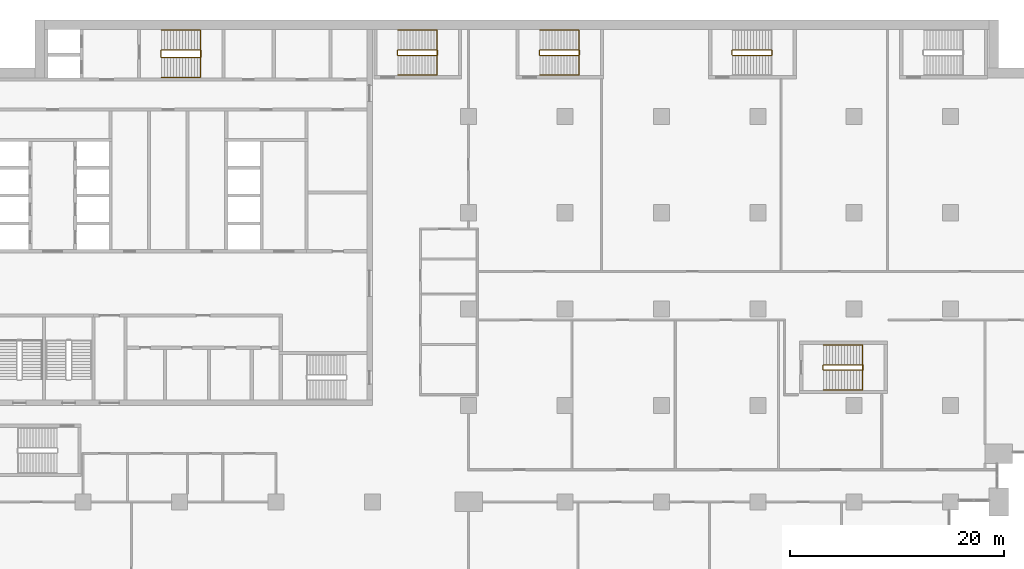
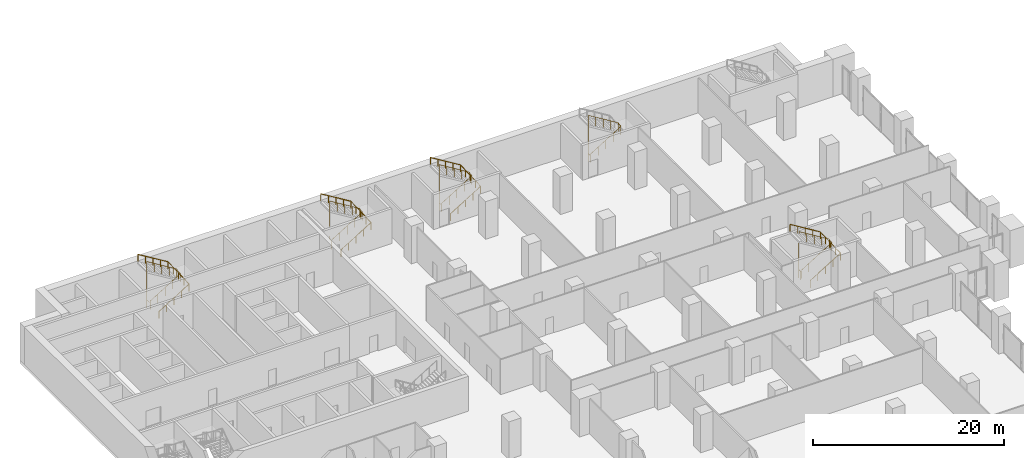
# One storey, part 29 of 31: 9 railings.
"""IFC4 building model written with IfcOpenShell, lengths in metres."""

from ifc_helpers import new_model, si_unit, direction, frame, origin, origin_2d, place, context, subcontext, project, spatial, circle, extrude, material, type_object, element, save


model = new_model("IFC4")

# Units and contexts
model_context = context("Model", 3, precision=1e-05, world=origin(), true_north=direction((0.0, 1.0)))
body_context = subcontext(model_context, "Body", "Model", "MODEL_VIEW")
ifc_project = project(units=[si_unit("LENGTHUNIT", "METRE"), si_unit("AREAUNIT", "SQUARE_METRE"), si_unit("VOLUMEUNIT", "CUBIC_METRE"), si_unit("PLANEANGLEUNIT", "RADIAN"), si_unit("MASSUNIT", "GRAM", prefix="KILO")], contexts=[model_context])

# Site, building, storey
site_placement = place(None, origin())
site = spatial("IfcSite", under=ifc_project, at=site_placement, CompositionType="ELEMENT")
building_placement = place(site_placement, origin())
building = spatial("IfcBuilding", under=site, at=building_placement, Name="Hunhe Ridgeline Campus", CompositionType="ELEMENT")
storey_placement = place(building_placement, frame((0.0, 0.0, 16.800048828125)))
storey = spatial("IfcBuildingStorey", under=building, at=storey_placement, Name="L03", CompositionType="ELEMENT", Elevation=16.800048828125)

# Railings
ifc_material_1 = material(Name="Stainless steel balustrade", Category="steel")
railing_type_1 = type_object("IfcRailingType", Name="Stair guard 1100 stainless", PredefinedType="GUARDRAIL", material=ifc_material_1)
railing_1_placement = place(storey_placement, frame((16.300048828125, 95.5, 0.17138671875)))
element("IfcRailing", 1, at=railing_1_placement, inside=storey, type_object=railing_type_1, Name="L03 stair S1 guard", PredefinedType="GUARDRAIL", context=body_context, shape_type="SweptSolid", body=[
    extrude(circle(Radius=0.02392578125, at=origin_2d()), frame((0.0, 0.0, 1.076171875), z_axis=(0.852850264322, 0.0, 0.5221555579), x_axis=(0.0, 1.0, 0.0)), (0.0, 0.0, 1.0), 4.267822265625),
    extrude(circle(Radius=0.02392578125, at=origin_2d()), frame((3.639892578125, 0.0, 3.3046875), z_axis=(0.707106781187, 0.707106781187, 0.0), x_axis=(-0.707106781187, 0.707106781187, 0.0)), (0.0, 0.0, 1.0), 0.07080078125),
    extrude(circle(Radius=0.02392578125, at=origin_2d()), frame((3.68994140625, 0.050048828125, 3.3046875), z_axis=(0.0, 1.0, 0.0), x_axis=(-1.0, 0.0, 0.0)), (0.0, 0.0, 1.0), 0.599853515625),
    extrude(circle(Radius=0.02392578125, at=origin_2d()), frame((3.68994140625, 0.64990234375, 3.3046875), z_axis=(-0.269911200495, 0.269911200495, 0.924281281696), x_axis=(-0.707106781187, -0.707106781187, 0.0)), (0.0, 0.0, 1.0), 0.185546875),
    extrude(circle(Radius=0.02392578125, at=origin_2d()), frame((3.639892578125, 0.699951171875, 3.47607421875), z_axis=(-0.852824790078, 0.0, 0.522197163366), x_axis=(0.0, -1.0, 0.0)), (0.0, 0.0, 1.0), 4.26806640625),
    extrude(circle(Radius=0.02392578125, at=origin_2d()), frame((0.0, 0.699951171875, 5.70458984375), z_axis=(-0.010425599751, -0.010425599751, -0.999891300962), x_axis=(0.707106781187, -0.707106781187, 0.0)), (0.0, 0.0, 1.0), 4.800537109375),
    extrude(circle(Radius=0.02392578125, at=origin_2d()), frame((-0.050048828125, 0.64990234375, 0.90478515625), z_axis=(0.0, -1.0, 0.0), x_axis=(1.0, 0.0, 0.0)), (0.0, 0.0, 1.0), 0.599853515625),
    extrude(circle(Radius=0.02099609375, at=origin_2d()), origin(), (0.0, 0.0, 1.0), 1.052001953125),
    extrude(circle(Radius=0.02099609375, at=origin_2d()), frame((0.909912109375, 0.0, 0.55712890625)), (0.0, 0.0, 1.0), 1.052001953125),
    extrude(circle(Radius=0.02099609375, at=origin_2d()), frame((1.81982421875, 0.0, 1.1142578125)), (0.0, 0.0, 1.0), 1.052001953125),
    extrude(circle(Radius=0.02099609375, at=origin_2d()), frame((2.72998046875, 0.0, 1.67138671875)), (0.0, 0.0, 1.0), 1.052001953125),
    extrude(circle(Radius=0.02099609375, at=origin_2d()), frame((3.639892578125, 0.0, 2.228515625)), (0.0, 0.0, 1.0), 1.052001953125),
    extrude(circle(Radius=0.02099609375, at=origin_2d()), frame((3.68994140625, 0.050048828125, 2.228515625)), (0.0, 0.0, 1.0), 1.052001953125),
    extrude(circle(Radius=0.02099609375, at=origin_2d()), frame((3.68994140625, 0.64990234375, 2.228515625)), (0.0, 0.0, 1.0), 1.052001953125),
    extrude(circle(Radius=0.02099609375, at=origin_2d()), frame((3.639892578125, 0.699951171875, 2.39990234375)), (0.0, 0.0, 1.0), 1.052001953125),
    extrude(circle(Radius=0.02099609375, at=origin_2d()), frame((2.72998046875, 0.699951171875, 2.95703125)), (0.0, 0.0, 1.0), 1.052001953125),
    extrude(circle(Radius=0.02099609375, at=origin_2d()), frame((1.81982421875, 0.699951171875, 3.51416015625)), (0.0, 0.0, 1.0), 1.052001953125),
    extrude(circle(Radius=0.02099609375, at=origin_2d()), frame((0.909912109375, 0.699951171875, 4.071533203125)), (0.0, 0.0, 1.0), 1.052001953125),
    extrude(circle(Radius=0.02099609375, at=origin_2d()), frame((0.0, 0.699951171875, 4.628662109375)), (0.0, 0.0, 1.0), 1.052001953125),
    extrude(circle(Radius=0.02099609375, at=origin_2d()), frame((-0.010009765625, 0.68994140625, 3.668701171875)), (0.0, 0.0, 1.0), 1.052001953125),
    extrude(circle(Radius=0.02099609375, at=origin_2d()), frame((-0.02001953125, 0.679931640625, 2.708740234375)), (0.0, 0.0, 1.0), 1.052001953125),
    extrude(circle(Radius=0.02099609375, at=origin_2d()), frame((-0.030029296875, 0.669921875, 1.74853515625)), (0.0, 0.0, 1.0), 1.052001953125),
    extrude(circle(Radius=0.02099609375, at=origin_2d()), frame((-0.0400390625, 0.659912109375, 0.78857421875)), (0.0, 0.0, 1.0), 1.052001953125),
    extrude(circle(Radius=0.02099609375, at=origin_2d()), frame((-0.050048828125, 0.64990234375, -0.17138671875)), (0.0, 0.0, 1.0), 1.052001953125),
    extrude(circle(Radius=0.02099609375, at=origin_2d()), frame((-0.050048828125, 0.050048828125, -0.17138671875)), (0.0, 0.0, 1.0), 1.052001953125),
])
railing_2_placement = place(storey_placement, frame((38.39990234375, 95.699951171875, 0.17138671875)))
element("IfcRailing", 2, at=railing_2_placement, inside=storey, type_object=railing_type_1, Name="L03 stair E1 guard", PredefinedType="GUARDRAIL", context=body_context, shape_type="SweptSolid", body=[
    extrude(circle(Radius=0.02392578125, at=origin_2d()), frame((0.0, 0.0, 1.076171875), z_axis=(0.852865859571, 0.0, 0.52213008492), x_axis=(0.0, 1.0, 0.0)), (0.0, 0.0, 1.0), 4.26806640625),
    extrude(circle(Radius=0.02392578125, at=origin_2d()), frame((3.64013671875, 0.0, 3.3046875), z_axis=(0.707106781187, 0.707106781187, 0.0), x_axis=(-0.707106781187, 0.707106781187, 0.0)), (0.0, 0.0, 1.0), 0.07080078125),
    extrude(circle(Radius=0.02392578125, at=origin_2d()), frame((3.690185546875, 0.050048828125, 3.3046875), z_axis=(0.0, 1.0, 0.0), x_axis=(-1.0, 0.0, 0.0)), (0.0, 0.0, 1.0), 0.39990234375),
    extrude(circle(Radius=0.02392578125, at=origin_2d()), frame((3.690185546875, 0.449951171875, 3.3046875), z_axis=(-0.269911200495, 0.269911200495, 0.924281281696), x_axis=(-0.707106781187, -0.707106781187, 0.0)), (0.0, 0.0, 1.0), 0.185546875),
    extrude(circle(Radius=0.02392578125, at=origin_2d()), frame((3.64013671875, 0.5, 3.47607421875), z_axis=(-0.852840387347, 0.0, 0.522171689878), x_axis=(0.0, -1.0, 0.0)), (0.0, 0.0, 1.0), 4.268310546875),
    extrude(circle(Radius=0.02392578125, at=origin_2d()), frame((0.0, 0.5, 5.70458984375), z_axis=(-0.010374748654, -0.010425605265, -0.999891829822), x_axis=(0.708833529934, -0.705375805398, 0.0)), (0.0, 0.0, 1.0), 4.800537109375),
    extrude(circle(Radius=0.02392578125, at=origin_2d()), frame((-0.0498046875, 0.449951171875, 0.90478515625), z_axis=(0.0, -1.0, 0.0), x_axis=(1.0, 0.0, 0.0)), (0.0, 0.0, 1.0), 0.39990234375),
    extrude(circle(Radius=0.02099609375, at=origin_2d()), origin(), (0.0, 0.0, 1.0), 1.052001953125),
    extrude(circle(Radius=0.02099609375, at=origin_2d()), frame((0.91015625, 0.0, 0.55712890625)), (0.0, 0.0, 1.0), 1.052001953125),
    extrude(circle(Radius=0.02099609375, at=origin_2d()), frame((1.820068359375, 0.0, 1.1142578125)), (0.0, 0.0, 1.0), 1.052001953125),
    extrude(circle(Radius=0.02099609375, at=origin_2d()), frame((2.72998046875, 0.0, 1.67138671875)), (0.0, 0.0, 1.0), 1.052001953125),
    extrude(circle(Radius=0.02099609375, at=origin_2d()), frame((3.64013671875, 0.0, 2.228515625)), (0.0, 0.0, 1.0), 1.052001953125),
    extrude(circle(Radius=0.02099609375, at=origin_2d()), frame((3.690185546875, 0.050048828125, 2.228515625)), (0.0, 0.0, 1.0), 1.052001953125),
    extrude(circle(Radius=0.02099609375, at=origin_2d()), frame((3.690185546875, 0.449951171875, 2.228515625)), (0.0, 0.0, 1.0), 1.052001953125),
    extrude(circle(Radius=0.02099609375, at=origin_2d()), frame((3.64013671875, 0.5, 2.39990234375)), (0.0, 0.0, 1.0), 1.052001953125),
    extrude(circle(Radius=0.02099609375, at=origin_2d()), frame((2.72998046875, 0.5, 2.95703125)), (0.0, 0.0, 1.0), 1.052001953125),
    extrude(circle(Radius=0.02099609375, at=origin_2d()), frame((1.820068359375, 0.5, 3.51416015625)), (0.0, 0.0, 1.0), 1.052001953125),
    extrude(circle(Radius=0.02099609375, at=origin_2d()), frame((0.91015625, 0.5, 4.071533203125)), (0.0, 0.0, 1.0), 1.052001953125),
    extrude(circle(Radius=0.02099609375, at=origin_2d()), frame((0.0, 0.5, 4.628662109375)), (0.0, 0.0, 1.0), 1.052001953125),
    extrude(circle(Radius=0.02099609375, at=origin_2d()), frame((-0.010009765625, 0.489990234375, 3.668701171875)), (0.0, 0.0, 1.0), 1.052001953125),
    extrude(circle(Radius=0.02099609375, at=origin_2d()), frame((-0.02001953125, 0.47998046875, 2.708740234375)), (0.0, 0.0, 1.0), 1.052001953125),
    extrude(circle(Radius=0.02099609375, at=origin_2d()), frame((-0.02978515625, 0.469970703125, 1.74853515625)), (0.0, 0.0, 1.0), 1.052001953125),
    extrude(circle(Radius=0.02099609375, at=origin_2d()), frame((-0.039794921875, 0.4599609375, 0.78857421875)), (0.0, 0.0, 1.0), 1.052001953125),
    extrude(circle(Radius=0.02099609375, at=origin_2d()), frame((-0.0498046875, 0.449951171875, -0.17138671875)), (0.0, 0.0, 1.0), 1.052001953125),
    extrude(circle(Radius=0.02099609375, at=origin_2d()), frame((-0.0498046875, 0.050048828125, -0.17138671875)), (0.0, 0.0, 1.0), 1.052001953125),
])
railing_3_placement = place(storey_placement, frame((51.64990234375, 95.699951171875, 0.17138671875)))
element("IfcRailing", 3, at=railing_3_placement, inside=storey, type_object=railing_type_1, Name="L03 stair E2 guard", PredefinedType="GUARDRAIL", context=body_context, shape_type="SweptSolid", body=[
    extrude(circle(Radius=0.02392578125, at=origin_2d()), frame((0.0, 0.0, 1.076171875), z_axis=(0.852865859571, 0.0, 0.52213008492), x_axis=(0.0, 1.0, 0.0)), (0.0, 0.0, 1.0), 4.26806640625),
    extrude(circle(Radius=0.02392578125, at=origin_2d()), frame((3.64013671875, 0.0, 3.3046875), z_axis=(0.707106781187, 0.707106781187, 0.0), x_axis=(-0.707106781187, 0.707106781187, 0.0)), (0.0, 0.0, 1.0), 0.07080078125),
    extrude(circle(Radius=0.02392578125, at=origin_2d()), frame((3.690185546875, 0.050048828125, 3.3046875), z_axis=(0.0, 1.0, 0.0), x_axis=(-1.0, 0.0, 0.0)), (0.0, 0.0, 1.0), 0.39990234375),
    extrude(circle(Radius=0.02392578125, at=origin_2d()), frame((3.690185546875, 0.449951171875, 3.3046875), z_axis=(-0.269911200495, 0.269911200495, 0.924281281696), x_axis=(-0.707106781187, -0.707106781187, 0.0)), (0.0, 0.0, 1.0), 0.185546875),
    extrude(circle(Radius=0.02392578125, at=origin_2d()), frame((3.64013671875, 0.5, 3.47607421875), z_axis=(-0.852840387347, 0.0, 0.522171689878), x_axis=(0.0, -1.0, 0.0)), (0.0, 0.0, 1.0), 4.268310546875),
    extrude(circle(Radius=0.02392578125, at=origin_2d()), frame((0.0, 0.5, 5.70458984375), z_axis=(-0.010374748654, -0.010425605265, -0.999891829822), x_axis=(0.708833529934, -0.705375805398, 0.0)), (0.0, 0.0, 1.0), 4.800537109375),
    extrude(circle(Radius=0.02392578125, at=origin_2d()), frame((-0.0498046875, 0.449951171875, 0.90478515625), z_axis=(0.0, -1.0, 0.0), x_axis=(1.0, 0.0, 0.0)), (0.0, 0.0, 1.0), 0.39990234375),
    extrude(circle(Radius=0.02099609375, at=origin_2d()), origin(), (0.0, 0.0, 1.0), 1.052001953125),
    extrude(circle(Radius=0.02099609375, at=origin_2d()), frame((0.91015625, 0.0, 0.55712890625)), (0.0, 0.0, 1.0), 1.052001953125),
    extrude(circle(Radius=0.02099609375, at=origin_2d()), frame((1.820068359375, 0.0, 1.1142578125)), (0.0, 0.0, 1.0), 1.052001953125),
    extrude(circle(Radius=0.02099609375, at=origin_2d()), frame((2.72998046875, 0.0, 1.67138671875)), (0.0, 0.0, 1.0), 1.052001953125),
    extrude(circle(Radius=0.02099609375, at=origin_2d()), frame((3.64013671875, 0.0, 2.228515625)), (0.0, 0.0, 1.0), 1.052001953125),
    extrude(circle(Radius=0.02099609375, at=origin_2d()), frame((3.690185546875, 0.050048828125, 2.228515625)), (0.0, 0.0, 1.0), 1.052001953125),
    extrude(circle(Radius=0.02099609375, at=origin_2d()), frame((3.690185546875, 0.449951171875, 2.228515625)), (0.0, 0.0, 1.0), 1.052001953125),
    extrude(circle(Radius=0.02099609375, at=origin_2d()), frame((3.64013671875, 0.5, 2.39990234375)), (0.0, 0.0, 1.0), 1.052001953125),
    extrude(circle(Radius=0.02099609375, at=origin_2d()), frame((2.72998046875, 0.5, 2.95703125)), (0.0, 0.0, 1.0), 1.052001953125),
    extrude(circle(Radius=0.02099609375, at=origin_2d()), frame((1.820068359375, 0.5, 3.51416015625)), (0.0, 0.0, 1.0), 1.052001953125),
    extrude(circle(Radius=0.02099609375, at=origin_2d()), frame((0.91015625, 0.5, 4.071533203125)), (0.0, 0.0, 1.0), 1.052001953125),
    extrude(circle(Radius=0.02099609375, at=origin_2d()), frame((0.0, 0.5, 4.628662109375)), (0.0, 0.0, 1.0), 1.052001953125),
    extrude(circle(Radius=0.02099609375, at=origin_2d()), frame((-0.010009765625, 0.489990234375, 3.668701171875)), (0.0, 0.0, 1.0), 1.052001953125),
    extrude(circle(Radius=0.02099609375, at=origin_2d()), frame((-0.02001953125, 0.47998046875, 2.708740234375)), (0.0, 0.0, 1.0), 1.052001953125),
    extrude(circle(Radius=0.02099609375, at=origin_2d()), frame((-0.02978515625, 0.469970703125, 1.74853515625)), (0.0, 0.0, 1.0), 1.052001953125),
    extrude(circle(Radius=0.02099609375, at=origin_2d()), frame((-0.039794921875, 0.4599609375, 0.78857421875)), (0.0, 0.0, 1.0), 1.052001953125),
    extrude(circle(Radius=0.02099609375, at=origin_2d()), frame((-0.0498046875, 0.449951171875, -0.17138671875)), (0.0, 0.0, 1.0), 1.052001953125),
    extrude(circle(Radius=0.02099609375, at=origin_2d()), frame((-0.0498046875, 0.050048828125, -0.17138671875)), (0.0, 0.0, 1.0), 1.052001953125),
])
railing_4_placement = place(storey_placement, frame((69.64990234375, 95.699951171875, 0.17138671875)))
element("IfcRailing", 4, at=railing_4_placement, inside=storey, type_object=railing_type_1, Name="L03 stair E3 guard", PredefinedType="GUARDRAIL", context=body_context, shape_type="SweptSolid", body=[
    extrude(circle(Radius=0.02392578125, at=origin_2d()), frame((0.0, 0.0, 1.076171875), z_axis=(0.852865859571, 0.0, 0.52213008492), x_axis=(0.0, 1.0, 0.0)), (0.0, 0.0, 1.0), 4.26806640625),
    extrude(circle(Radius=0.02392578125, at=origin_2d()), frame((3.64013671875, 0.0, 3.3046875), z_axis=(0.707106781187, 0.707106781187, 0.0), x_axis=(-0.707106781187, 0.707106781187, 0.0)), (0.0, 0.0, 1.0), 0.07080078125),
    extrude(circle(Radius=0.02392578125, at=origin_2d()), frame((3.690185546875, 0.050048828125, 3.3046875), z_axis=(0.0, 1.0, 0.0), x_axis=(-1.0, 0.0, 0.0)), (0.0, 0.0, 1.0), 0.39990234375),
    extrude(circle(Radius=0.02392578125, at=origin_2d()), frame((3.690185546875, 0.449951171875, 3.3046875), z_axis=(-0.269911200495, 0.269911200495, 0.924281281696), x_axis=(-0.707106781187, -0.707106781187, 0.0)), (0.0, 0.0, 1.0), 0.185546875),
    extrude(circle(Radius=0.02392578125, at=origin_2d()), frame((3.64013671875, 0.5, 3.47607421875), z_axis=(-0.852840387347, 0.0, 0.522171689878), x_axis=(0.0, -1.0, 0.0)), (0.0, 0.0, 1.0), 4.268310546875),
    extrude(circle(Radius=0.02392578125, at=origin_2d()), frame((0.0, 0.5, 5.70458984375), z_axis=(-0.010374748654, -0.010425605265, -0.999891829822), x_axis=(0.708833529934, -0.705375805398, 0.0)), (0.0, 0.0, 1.0), 4.800537109375),
    extrude(circle(Radius=0.02392578125, at=origin_2d()), frame((-0.0498046875, 0.449951171875, 0.90478515625), z_axis=(0.0, -1.0, 0.0), x_axis=(1.0, 0.0, 0.0)), (0.0, 0.0, 1.0), 0.39990234375),
    extrude(circle(Radius=0.02099609375, at=origin_2d()), origin(), (0.0, 0.0, 1.0), 1.052001953125),
    extrude(circle(Radius=0.02099609375, at=origin_2d()), frame((0.91015625, 0.0, 0.55712890625)), (0.0, 0.0, 1.0), 1.052001953125),
    extrude(circle(Radius=0.02099609375, at=origin_2d()), frame((1.820068359375, 0.0, 1.1142578125)), (0.0, 0.0, 1.0), 1.052001953125),
    extrude(circle(Radius=0.02099609375, at=origin_2d()), frame((2.72998046875, 0.0, 1.67138671875)), (0.0, 0.0, 1.0), 1.052001953125),
    extrude(circle(Radius=0.02099609375, at=origin_2d()), frame((3.64013671875, 0.0, 2.228515625)), (0.0, 0.0, 1.0), 1.052001953125),
    extrude(circle(Radius=0.02099609375, at=origin_2d()), frame((3.690185546875, 0.050048828125, 2.228515625)), (0.0, 0.0, 1.0), 1.052001953125),
    extrude(circle(Radius=0.02099609375, at=origin_2d()), frame((3.690185546875, 0.449951171875, 2.228515625)), (0.0, 0.0, 1.0), 1.052001953125),
    extrude(circle(Radius=0.02099609375, at=origin_2d()), frame((3.64013671875, 0.5, 2.39990234375)), (0.0, 0.0, 1.0), 1.052001953125),
    extrude(circle(Radius=0.02099609375, at=origin_2d()), frame((2.72998046875, 0.5, 2.95703125)), (0.0, 0.0, 1.0), 1.052001953125),
    extrude(circle(Radius=0.02099609375, at=origin_2d()), frame((1.820068359375, 0.5, 3.51416015625)), (0.0, 0.0, 1.0), 1.052001953125),
    extrude(circle(Radius=0.02099609375, at=origin_2d()), frame((0.91015625, 0.5, 4.071533203125)), (0.0, 0.0, 1.0), 1.052001953125),
    extrude(circle(Radius=0.02099609375, at=origin_2d()), frame((0.0, 0.5, 4.628662109375)), (0.0, 0.0, 1.0), 1.052001953125),
    extrude(circle(Radius=0.02099609375, at=origin_2d()), frame((-0.010009765625, 0.489990234375, 3.668701171875)), (0.0, 0.0, 1.0), 1.052001953125),
    extrude(circle(Radius=0.02099609375, at=origin_2d()), frame((-0.02001953125, 0.47998046875, 2.708740234375)), (0.0, 0.0, 1.0), 1.052001953125),
    extrude(circle(Radius=0.02099609375, at=origin_2d()), frame((-0.02978515625, 0.469970703125, 1.74853515625)), (0.0, 0.0, 1.0), 1.052001953125),
    extrude(circle(Radius=0.02099609375, at=origin_2d()), frame((-0.039794921875, 0.4599609375, 0.78857421875)), (0.0, 0.0, 1.0), 1.052001953125),
    extrude(circle(Radius=0.02099609375, at=origin_2d()), frame((-0.0498046875, 0.449951171875, -0.17138671875)), (0.0, 0.0, 1.0), 1.052001953125),
    extrude(circle(Radius=0.02099609375, at=origin_2d()), frame((-0.0498046875, 0.050048828125, -0.17138671875)), (0.0, 0.0, 1.0), 1.052001953125),
])
railing_5_placement = place(storey_placement, frame((78.14990234375, 66.300048828125, 0.17138671875)))
element("IfcRailing", 5, at=railing_5_placement, inside=storey, type_object=railing_type_1, Name="L03 stair E5 guard", PredefinedType="GUARDRAIL", context=body_context, shape_type="SweptSolid", body=[
    extrude(circle(Radius=0.02392578125, at=origin_2d()), frame((0.0, 0.0, 1.076171875), z_axis=(0.852865859571, 0.0, 0.52213008492), x_axis=(0.0, 1.0, 0.0)), (0.0, 0.0, 1.0), 4.26806640625),
    extrude(circle(Radius=0.02392578125, at=origin_2d()), frame((3.64013671875, 0.0, 3.3046875), z_axis=(0.707106781187, 0.707106781187, 0.0), x_axis=(-0.707106781187, 0.707106781187, 0.0)), (0.0, 0.0, 1.0), 0.07080078125),
    extrude(circle(Radius=0.02392578125, at=origin_2d()), frame((3.690185546875, 0.050048828125, 3.3046875), z_axis=(0.0, 1.0, 0.0), x_axis=(-1.0, 0.0, 0.0)), (0.0, 0.0, 1.0), 0.39990234375),
    extrude(circle(Radius=0.02392578125, at=origin_2d()), frame((3.690185546875, 0.449951171875, 3.3046875), z_axis=(-0.269911200495, 0.269911200495, 0.924281281696), x_axis=(-0.707106781187, -0.707106781187, 0.0)), (0.0, 0.0, 1.0), 0.185546875),
    extrude(circle(Radius=0.02392578125, at=origin_2d()), frame((3.64013671875, 0.5, 3.47607421875), z_axis=(-0.852840387347, 0.0, 0.522171689878), x_axis=(0.0, -1.0, 0.0)), (0.0, 0.0, 1.0), 4.268310546875),
    extrude(circle(Radius=0.02392578125, at=origin_2d()), frame((0.0, 0.5, 5.70458984375), z_axis=(-0.010374748654, -0.010425605265, -0.999891829822), x_axis=(0.708833529934, -0.705375805398, 0.0)), (0.0, 0.0, 1.0), 4.800537109375),
    extrude(circle(Radius=0.02392578125, at=origin_2d()), frame((-0.0498046875, 0.449951171875, 0.90478515625), z_axis=(0.0, -1.0, 0.0), x_axis=(1.0, 0.0, 0.0)), (0.0, 0.0, 1.0), 0.39990234375),
    extrude(circle(Radius=0.02099609375, at=origin_2d()), origin(), (0.0, 0.0, 1.0), 1.052001953125),
    extrude(circle(Radius=0.02099609375, at=origin_2d()), frame((0.91015625, 0.0, 0.55712890625)), (0.0, 0.0, 1.0), 1.052001953125),
    extrude(circle(Radius=0.02099609375, at=origin_2d()), frame((1.820068359375, 0.0, 1.1142578125)), (0.0, 0.0, 1.0), 1.052001953125),
    extrude(circle(Radius=0.02099609375, at=origin_2d()), frame((2.72998046875, 0.0, 1.67138671875)), (0.0, 0.0, 1.0), 1.052001953125),
    extrude(circle(Radius=0.02099609375, at=origin_2d()), frame((3.64013671875, 0.0, 2.228515625)), (0.0, 0.0, 1.0), 1.052001953125),
    extrude(circle(Radius=0.02099609375, at=origin_2d()), frame((3.690185546875, 0.050048828125, 2.228515625)), (0.0, 0.0, 1.0), 1.052001953125),
    extrude(circle(Radius=0.02099609375, at=origin_2d()), frame((3.690185546875, 0.449951171875, 2.228515625)), (0.0, 0.0, 1.0), 1.052001953125),
    extrude(circle(Radius=0.02099609375, at=origin_2d()), frame((3.64013671875, 0.5, 2.39990234375)), (0.0, 0.0, 1.0), 1.052001953125),
    extrude(circle(Radius=0.02099609375, at=origin_2d()), frame((2.72998046875, 0.5, 2.95703125)), (0.0, 0.0, 1.0), 1.052001953125),
    extrude(circle(Radius=0.02099609375, at=origin_2d()), frame((1.820068359375, 0.5, 3.51416015625)), (0.0, 0.0, 1.0), 1.052001953125),
    extrude(circle(Radius=0.02099609375, at=origin_2d()), frame((0.91015625, 0.5, 4.071533203125)), (0.0, 0.0, 1.0), 1.052001953125),
    extrude(circle(Radius=0.02099609375, at=origin_2d()), frame((0.0, 0.5, 4.628662109375)), (0.0, 0.0, 1.0), 1.052001953125),
    extrude(circle(Radius=0.02099609375, at=origin_2d()), frame((-0.010009765625, 0.489990234375, 3.668701171875)), (0.0, 0.0, 1.0), 1.052001953125),
    extrude(circle(Radius=0.02099609375, at=origin_2d()), frame((-0.02001953125, 0.47998046875, 2.708740234375)), (0.0, 0.0, 1.0), 1.052001953125),
    extrude(circle(Radius=0.02099609375, at=origin_2d()), frame((-0.02978515625, 0.469970703125, 1.74853515625)), (0.0, 0.0, 1.0), 1.052001953125),
    extrude(circle(Radius=0.02099609375, at=origin_2d()), frame((-0.039794921875, 0.4599609375, 0.78857421875)), (0.0, 0.0, 1.0), 1.052001953125),
    extrude(circle(Radius=0.02099609375, at=origin_2d()), frame((-0.0498046875, 0.449951171875, -0.17138671875)), (0.0, 0.0, 1.0), 1.052001953125),
    extrude(circle(Radius=0.02099609375, at=origin_2d()), frame((-0.0498046875, 0.050048828125, -0.17138671875)), (0.0, 0.0, 1.0), 1.052001953125),
])
ifc_material_2 = material(Name="Stainless steel handrail", Category="steel")
railing_type_2 = type_object("IfcRailingType", Name="Stair handrail 900 stainless", PredefinedType="HANDRAIL", material=ifc_material_2)
railing_6_placement = place(storey_placement, frame((16.300048828125, 93.64990234375, 0.17138671875)))
element("IfcRailing", 6, at=railing_6_placement, inside=storey, type_object=railing_type_2, Name="L03 stair S1 handrail", PredefinedType="HANDRAIL", context=body_context, shape_type="SweptSolid", body=[
    extrude(circle(Radius=0.02392578125, at=origin_2d()), frame((0.0, 0.0, 0.8759765625), z_axis=(0.852850264322, 0.0, 0.5221555579), x_axis=(0.0, 1.0, 0.0)), (0.0, 0.0, 1.0), 4.267822265625),
    extrude(circle(Radius=0.02392578125, at=origin_2d()), frame((3.639892578125, 0.0, 3.1044921875), z_axis=(0.0, 0.999242301812, 0.038920717742), x_axis=(-1.0, 0.0, 0.0)), (0.0, 0.0, 1.0), 4.403564453125),
    extrude(circle(Radius=0.02392578125, at=origin_2d()), frame((3.639892578125, 4.400146484375, 3.27587890625), z_axis=(-0.852824790078, 0.0, 0.522197163366), x_axis=(0.0, -1.0, 0.0)), (0.0, 0.0, 1.0), 4.26806640625),
    extrude(circle(Radius=0.02099609375, at=origin_2d()), origin(), (0.0, 0.0, 1.0), 0.851806640625),
    extrude(circle(Radius=0.02099609375, at=origin_2d()), frame((0.909912109375, 0.0, 0.55712890625)), (0.0, 0.0, 1.0), 0.851806640625),
    extrude(circle(Radius=0.02099609375, at=origin_2d()), frame((1.81982421875, 0.0, 1.1142578125)), (0.0, 0.0, 1.0), 0.851806640625),
    extrude(circle(Radius=0.02099609375, at=origin_2d()), frame((2.72998046875, 0.0, 1.67138671875)), (0.0, 0.0, 1.0), 0.851806640625),
    extrude(circle(Radius=0.02099609375, at=origin_2d()), frame((3.639892578125, 0.0, 2.228515625)), (0.0, 0.0, 1.0), 0.851806640625),
    extrude(circle(Radius=0.02099609375, at=origin_2d()), frame((3.639892578125, 1.10009765625, 2.271484375)), (0.0, 0.0, 1.0), 0.851806640625),
    extrude(circle(Radius=0.02099609375, at=origin_2d()), frame((3.639892578125, 2.2001953125, 2.314208984375)), (0.0, 0.0, 1.0), 0.851806640625),
    extrude(circle(Radius=0.02099609375, at=origin_2d()), frame((3.639892578125, 3.300048828125, 2.35693359375)), (0.0, 0.0, 1.0), 0.851806640625),
    extrude(circle(Radius=0.02099609375, at=origin_2d()), frame((3.639892578125, 4.400146484375, 2.39990234375)), (0.0, 0.0, 1.0), 0.851806640625),
    extrude(circle(Radius=0.02099609375, at=origin_2d()), frame((2.72998046875, 4.400146484375, 2.95703125)), (0.0, 0.0, 1.0), 0.851806640625),
    extrude(circle(Radius=0.02099609375, at=origin_2d()), frame((1.81982421875, 4.400146484375, 3.51416015625)), (0.0, 0.0, 1.0), 0.851806640625),
    extrude(circle(Radius=0.02099609375, at=origin_2d()), frame((0.909912109375, 4.400146484375, 4.071533203125)), (0.0, 0.0, 1.0), 0.851806640625),
    extrude(circle(Radius=0.02099609375, at=origin_2d()), frame((0.0, 4.400146484375, 4.628662109375)), (0.0, 0.0, 1.0), 0.851806640625),
])
railing_7_placement = place(storey_placement, frame((38.39990234375, 93.85009765625, 0.17138671875)))
element("IfcRailing", 7, at=railing_7_placement, inside=storey, type_object=railing_type_2, Name="L03 stair E1 handrail", PredefinedType="HANDRAIL", context=body_context, shape_type="SweptSolid", body=[
    extrude(circle(Radius=0.02392578125, at=origin_2d()), frame((0.0, 0.0, 0.8759765625), z_axis=(0.852865859571, 0.0, 0.52213008492), x_axis=(0.0, 1.0, 0.0)), (0.0, 0.0, 1.0), 4.26806640625),
    extrude(circle(Radius=0.02392578125, at=origin_2d()), frame((3.64013671875, 0.0, 3.1044921875), z_axis=(0.0, 0.999168439458, 0.040772902662), x_axis=(-1.0, 0.0, 0.0)), (0.0, 0.0, 1.0), 4.203369140625),
    extrude(circle(Radius=0.02392578125, at=origin_2d()), frame((3.64013671875, 4.199951171875, 3.27587890625), z_axis=(-0.852840387347, 0.0, 0.522171689878), x_axis=(0.0, -1.0, 0.0)), (0.0, 0.0, 1.0), 4.268310546875),
    extrude(circle(Radius=0.02099609375, at=origin_2d()), origin(), (0.0, 0.0, 1.0), 0.851806640625),
    extrude(circle(Radius=0.02099609375, at=origin_2d()), frame((0.91015625, 0.0, 0.55712890625)), (0.0, 0.0, 1.0), 0.851806640625),
    extrude(circle(Radius=0.02099609375, at=origin_2d()), frame((1.820068359375, 0.0, 1.1142578125)), (0.0, 0.0, 1.0), 0.851806640625),
    extrude(circle(Radius=0.02099609375, at=origin_2d()), frame((2.72998046875, 0.0, 1.67138671875)), (0.0, 0.0, 1.0), 0.851806640625),
    extrude(circle(Radius=0.02099609375, at=origin_2d()), frame((3.64013671875, 0.0, 2.228515625)), (0.0, 0.0, 1.0), 0.851806640625),
    extrude(circle(Radius=0.02099609375, at=origin_2d()), frame((3.64013671875, 1.050048828125, 2.271484375)), (0.0, 0.0, 1.0), 0.851806640625),
    extrude(circle(Radius=0.02099609375, at=origin_2d()), frame((3.64013671875, 2.10009765625, 2.314208984375)), (0.0, 0.0, 1.0), 0.851806640625),
    extrude(circle(Radius=0.02099609375, at=origin_2d()), frame((3.64013671875, 3.14990234375, 2.35693359375)), (0.0, 0.0, 1.0), 0.851806640625),
    extrude(circle(Radius=0.02099609375, at=origin_2d()), frame((3.64013671875, 4.199951171875, 2.39990234375)), (0.0, 0.0, 1.0), 0.851806640625),
    extrude(circle(Radius=0.02099609375, at=origin_2d()), frame((2.72998046875, 4.199951171875, 2.95703125)), (0.0, 0.0, 1.0), 0.851806640625),
    extrude(circle(Radius=0.02099609375, at=origin_2d()), frame((1.820068359375, 4.199951171875, 3.51416015625)), (0.0, 0.0, 1.0), 0.851806640625),
    extrude(circle(Radius=0.02099609375, at=origin_2d()), frame((0.91015625, 4.199951171875, 4.071533203125)), (0.0, 0.0, 1.0), 0.851806640625),
    extrude(circle(Radius=0.02099609375, at=origin_2d()), frame((0.0, 4.199951171875, 4.628662109375)), (0.0, 0.0, 1.0), 0.851806640625),
])
railing_8_placement = place(storey_placement, frame((51.64990234375, 93.85009765625, 0.17138671875)))
element("IfcRailing", 8, at=railing_8_placement, inside=storey, type_object=railing_type_2, Name="L03 stair E2 handrail", PredefinedType="HANDRAIL", context=body_context, shape_type="SweptSolid", body=[
    extrude(circle(Radius=0.02392578125, at=origin_2d()), frame((0.0, 0.0, 0.8759765625), z_axis=(0.852865859571, 0.0, 0.52213008492), x_axis=(0.0, 1.0, 0.0)), (0.0, 0.0, 1.0), 4.26806640625),
    extrude(circle(Radius=0.02392578125, at=origin_2d()), frame((3.64013671875, 0.0, 3.1044921875), z_axis=(0.0, 0.999168439458, 0.040772902662), x_axis=(-1.0, 0.0, 0.0)), (0.0, 0.0, 1.0), 4.203369140625),
    extrude(circle(Radius=0.02392578125, at=origin_2d()), frame((3.64013671875, 4.199951171875, 3.27587890625), z_axis=(-0.852840387347, 0.0, 0.522171689878), x_axis=(0.0, -1.0, 0.0)), (0.0, 0.0, 1.0), 4.268310546875),
    extrude(circle(Radius=0.02099609375, at=origin_2d()), origin(), (0.0, 0.0, 1.0), 0.851806640625),
    extrude(circle(Radius=0.02099609375, at=origin_2d()), frame((0.91015625, 0.0, 0.55712890625)), (0.0, 0.0, 1.0), 0.851806640625),
    extrude(circle(Radius=0.02099609375, at=origin_2d()), frame((1.820068359375, 0.0, 1.1142578125)), (0.0, 0.0, 1.0), 0.851806640625),
    extrude(circle(Radius=0.02099609375, at=origin_2d()), frame((2.72998046875, 0.0, 1.67138671875)), (0.0, 0.0, 1.0), 0.851806640625),
    extrude(circle(Radius=0.02099609375, at=origin_2d()), frame((3.64013671875, 0.0, 2.228515625)), (0.0, 0.0, 1.0), 0.851806640625),
    extrude(circle(Radius=0.02099609375, at=origin_2d()), frame((3.64013671875, 1.050048828125, 2.271484375)), (0.0, 0.0, 1.0), 0.851806640625),
    extrude(circle(Radius=0.02099609375, at=origin_2d()), frame((3.64013671875, 2.10009765625, 2.314208984375)), (0.0, 0.0, 1.0), 0.851806640625),
    extrude(circle(Radius=0.02099609375, at=origin_2d()), frame((3.64013671875, 3.14990234375, 2.35693359375)), (0.0, 0.0, 1.0), 0.851806640625),
    extrude(circle(Radius=0.02099609375, at=origin_2d()), frame((3.64013671875, 4.199951171875, 2.39990234375)), (0.0, 0.0, 1.0), 0.851806640625),
    extrude(circle(Radius=0.02099609375, at=origin_2d()), frame((2.72998046875, 4.199951171875, 2.95703125)), (0.0, 0.0, 1.0), 0.851806640625),
    extrude(circle(Radius=0.02099609375, at=origin_2d()), frame((1.820068359375, 4.199951171875, 3.51416015625)), (0.0, 0.0, 1.0), 0.851806640625),
    extrude(circle(Radius=0.02099609375, at=origin_2d()), frame((0.91015625, 4.199951171875, 4.071533203125)), (0.0, 0.0, 1.0), 0.851806640625),
    extrude(circle(Radius=0.02099609375, at=origin_2d()), frame((0.0, 4.199951171875, 4.628662109375)), (0.0, 0.0, 1.0), 0.851806640625),
])
railing_9_placement = place(storey_placement, frame((78.14990234375, 64.449951171875, 0.17138671875)))
element("IfcRailing", 9, at=railing_9_placement, inside=storey, type_object=railing_type_2, Name="L03 stair E5 handrail", PredefinedType="HANDRAIL", context=body_context, shape_type="SweptSolid", body=[
    extrude(circle(Radius=0.02392578125, at=origin_2d()), frame((0.0, 0.0, 0.8759765625), z_axis=(0.852865859571, 0.0, 0.52213008492), x_axis=(0.0, 1.0, 0.0)), (0.0, 0.0, 1.0), 4.26806640625),
    extrude(circle(Radius=0.02392578125, at=origin_2d()), frame((3.64013671875, 0.0, 3.1044921875), z_axis=(0.0, 0.999168439458, 0.040772902662), x_axis=(-1.0, 0.0, 0.0)), (0.0, 0.0, 1.0), 4.203369140625),
    extrude(circle(Radius=0.02392578125, at=origin_2d()), frame((3.64013671875, 4.199951171875, 3.27587890625), z_axis=(-0.852840387347, 0.0, 0.522171689878), x_axis=(0.0, -1.0, 0.0)), (0.0, 0.0, 1.0), 4.268310546875),
    extrude(circle(Radius=0.02099609375, at=origin_2d()), origin(), (0.0, 0.0, 1.0), 0.851806640625),
    extrude(circle(Radius=0.02099609375, at=origin_2d()), frame((0.91015625, 0.0, 0.55712890625)), (0.0, 0.0, 1.0), 0.851806640625),
    extrude(circle(Radius=0.02099609375, at=origin_2d()), frame((1.820068359375, 0.0, 1.1142578125)), (0.0, 0.0, 1.0), 0.851806640625),
    extrude(circle(Radius=0.02099609375, at=origin_2d()), frame((2.72998046875, 0.0, 1.67138671875)), (0.0, 0.0, 1.0), 0.851806640625),
    extrude(circle(Radius=0.02099609375, at=origin_2d()), frame((3.64013671875, 0.0, 2.228515625)), (0.0, 0.0, 1.0), 0.851806640625),
    extrude(circle(Radius=0.02099609375, at=origin_2d()), frame((3.64013671875, 1.050048828125, 2.271484375)), (0.0, 0.0, 1.0), 0.851806640625),
    extrude(circle(Radius=0.02099609375, at=origin_2d()), frame((3.64013671875, 2.10009765625, 2.314208984375)), (0.0, 0.0, 1.0), 0.851806640625),
    extrude(circle(Radius=0.02099609375, at=origin_2d()), frame((3.64013671875, 3.14990234375, 2.35693359375)), (0.0, 0.0, 1.0), 0.851806640625),
    extrude(circle(Radius=0.02099609375, at=origin_2d()), frame((3.64013671875, 4.199951171875, 2.39990234375)), (0.0, 0.0, 1.0), 0.851806640625),
    extrude(circle(Radius=0.02099609375, at=origin_2d()), frame((2.72998046875, 4.199951171875, 2.95703125)), (0.0, 0.0, 1.0), 0.851806640625),
    extrude(circle(Radius=0.02099609375, at=origin_2d()), frame((1.820068359375, 4.199951171875, 3.51416015625)), (0.0, 0.0, 1.0), 0.851806640625),
    extrude(circle(Radius=0.02099609375, at=origin_2d()), frame((0.91015625, 4.199951171875, 4.071533203125)), (0.0, 0.0, 1.0), 0.851806640625),
    extrude(circle(Radius=0.02099609375, at=origin_2d()), frame((0.0, 4.199951171875, 4.628662109375)), (0.0, 0.0, 1.0), 0.851806640625),
])

save(model, "model.ifc")
